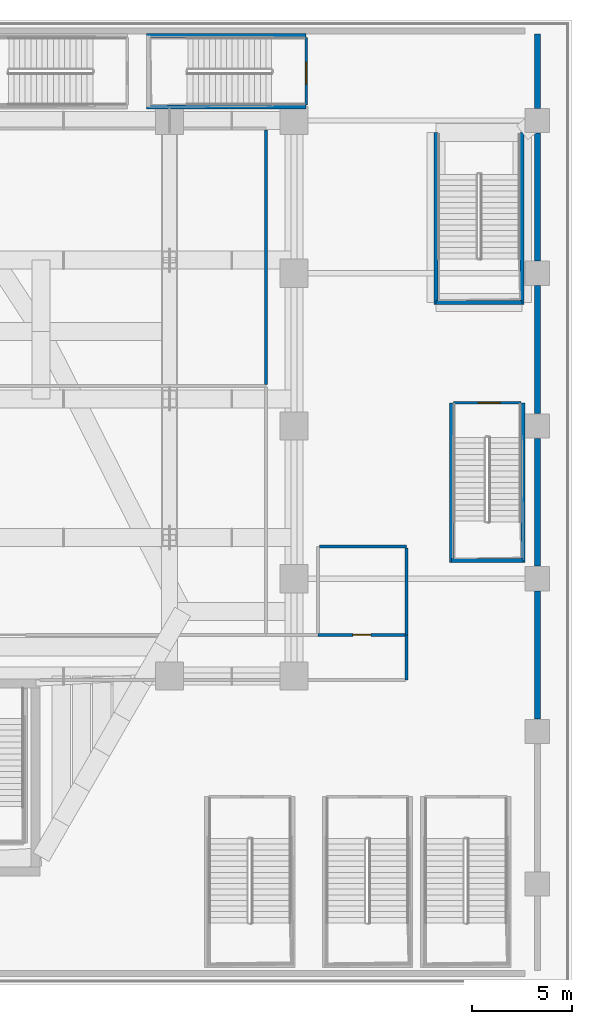
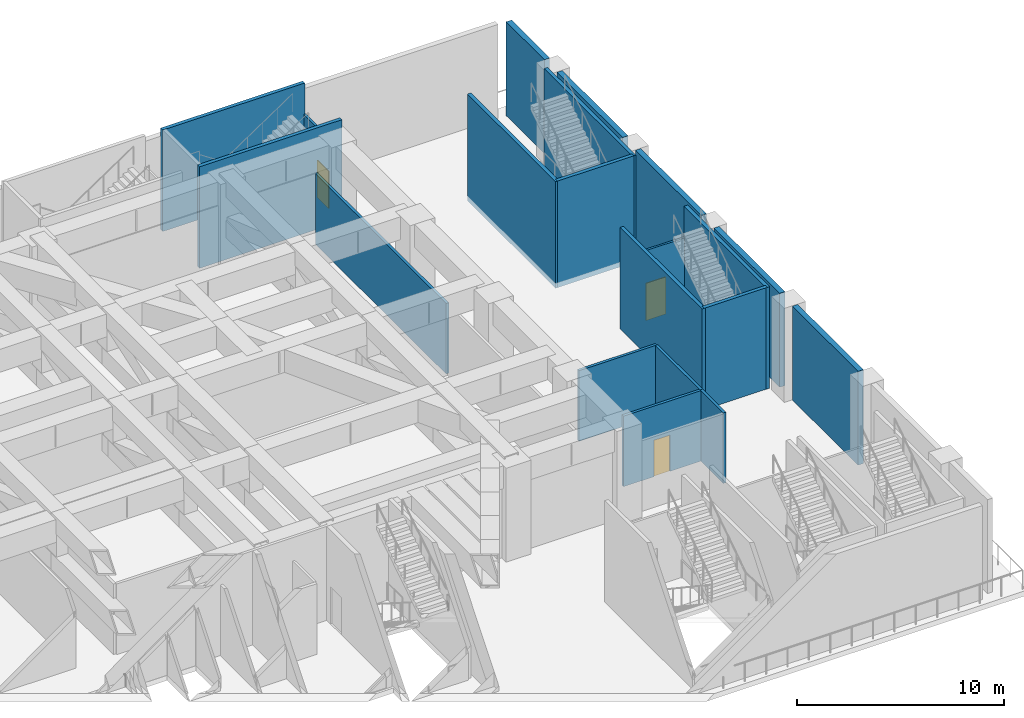
# One storey, part 12 of 27: 20 walls, 3 doors, 3 openings.
"""IFC4 building model written with IfcOpenShell, lengths in metres."""

from ifc_helpers import new_model, si_unit, direction, frame, frame_2d, origin, place, context, subcontext, project, spatial, rectangle, extrude, material, layer, layer_set, type_object, element, fill, save


model = new_model("IFC4")

# Units and contexts
model_context = context("Model", 3, precision=1e-05, world=origin(), true_north=direction((0.0, 1.0)))
body_context = subcontext(model_context, "Body", "Model", "MODEL_VIEW")
ifc_project = project(units=[si_unit("LENGTHUNIT", "METRE"), si_unit("AREAUNIT", "SQUARE_METRE"), si_unit("VOLUMEUNIT", "CUBIC_METRE"), si_unit("PLANEANGLEUNIT", "RADIAN"), si_unit("MASSUNIT", "GRAM", prefix="KILO")], contexts=[model_context])

# Site, building, storey
site_placement = place(None, origin())
site = spatial("IfcSite", under=ifc_project, at=site_placement, CompositionType="ELEMENT")
building_placement = place(site_placement, origin())
building = spatial("IfcBuilding", under=site, at=building_placement, Name="Ndaravel Arena Tower", CompositionType="ELEMENT")
storey_placement = place(building_placement, frame((0.0, 0.0, 24.0)))
storey = spatial("IfcBuildingStorey", under=building, at=storey_placement, Name="L04", CompositionType="ELEMENT", Elevation=24.0)

# Wall
ifc_material_1 = material(Name="Gypsum", Category="gypsum")
ifc_layer_1 = layer(ifc_material_1, 0.14990234375)
ifc_layer_set_1 = layer_set([ifc_layer_1], Name="Gypsum")
wall_type_1 = type_object("IfcWallType", Name="WALL-COMP-150", PredefinedType="PARTITIONING", material=ifc_layer_set_1)
wall_1_placement = place(storey_placement, frame((75.800048828125, 17.39990234375, 0.0), z_axis=(0.0, 0.0, 1.0), x_axis=(0.0, -1.0, 0.0)))
element("IfcWall", 1, at=wall_1_placement, inside=storey, type_object=wall_type_1, Name="L04 Interior Partition 001", PredefinedType="PARTITIONING", context=body_context, shape_type="SweptSolid", body=[
    extrude(rectangle(XDim=2.25, YDim=0.14990234375, at=frame_2d((1.125, 0.0))), origin(), (0.0, 0.0, 1.0), 4.169921875),
])

# Wall, opening, door
wall_2_placement = place(storey_placement, frame((71.39990234375, 17.39990234375, 0.0), z_axis=(0.0, 0.0, 1.0), x_axis=(1.0, 0.0, 0.0)))
wall_2 = element("IfcWall", 2, at=wall_2_placement, inside=storey, type_object=wall_type_1, Name="L04 Interior Partition 015", PredefinedType="PARTITIONING", context=body_context, shape_type="SweptSolid", body=[
    extrude(rectangle(XDim=4.335205078125, YDim=0.14990234375, at=frame_2d((2.16748046875, 0.0))), origin(), (0.0, 0.0, 1.0), 4.169921875),
])
opening_1_placement = place(wall_2_placement, frame((1.717529296875, 0.0, 0.0)))
opening_1 = element("IfcOpeningElement", 3, at=opening_1_placement, cuts=wall_2, Name="Opening WD-01", PredefinedType="OPENING", context=body_context, shape_type="SweptSolid", body=[
    extrude(rectangle(XDim=0.89990234375, YDim=2.14990234375, at=frame_2d((0.449951171875, 1.074951171875))), frame((0.0, 0.074951171875, 0.0), z_axis=(0.0, -1.0, 0.0), x_axis=(1.0, 0.0, 0.0)), (0.0, 0.0, 1.0), 0.14990234375),
])
ifc_material_2 = material(Name="Timber", Category="wood")
door_type_1 = type_object("IfcDoorType", Name="DT-05-WC-900", OperationType="SINGLE_SWING_LEFT", PredefinedType="DOOR", material=ifc_material_2)
door_1_placement = place(opening_1_placement, origin())
door_1 = element("IfcDoor", 4, at=door_1_placement, inside=storey, type_object=door_type_1, Name="L04 Plant Level Staff Accessible WC Door", OperationType="SINGLE_SWING_RIGHT", OverallHeight=2.14990234375, OverallWidth=0.89990234375, PredefinedType="DOOR", context=body_context, shape_type="SweptSolid", body=[
    extrude(rectangle(XDim=0.89990234375, YDim=2.14990234375, at=frame_2d((0.449951171875, 1.074951171875))), frame((0.0, 0.02490234375, 0.0), z_axis=(0.0, -1.0, 0.0), x_axis=(1.0, 0.0, 0.0)), (0.0, 0.0, 1.0), 0.050048828125),
])
fill(opening_1, door_1)

# Walls
wall_3_placement = place(storey_placement, frame((68.800048828125, 42.534912109375, 0.0), z_axis=(0.0, 0.0, 1.0), x_axis=(0.0, -1.0, 0.0)))
element("IfcWall", 5, at=wall_3_placement, inside=storey, type_object=wall_type_1, Name="L04 Interior Partition 026", PredefinedType="PARTITIONING", context=body_context, shape_type="SweptSolid", body=[
    extrude(rectangle(XDim=12.669921875, YDim=0.14990234375, at=frame_2d((6.3349609375, 0.0))), origin(), (0.0, 0.0, 1.0), 4.169921875),
])
wall_4_placement = place(storey_placement, frame((71.465087890625, 21.800048828125, 0.0), z_axis=(0.0, 0.0, 1.0), x_axis=(1.0, 0.0, 0.0)))
element("IfcWall", 6, at=wall_4_placement, inside=storey, type_object=wall_type_1, Name="L04 Interior Partition 028", PredefinedType="PARTITIONING", context=body_context, shape_type="SweptSolid", body=[
    extrude(rectangle(XDim=4.3349609375, YDim=0.14990234375, at=frame_2d((2.16748046875, 0.0))), origin(), (0.0, 0.0, 1.0), 4.169921875),
])
wall_5_placement = place(storey_placement, frame((75.800048828125, 21.735107421875, 0.0), z_axis=(0.0, 0.0, 1.0), x_axis=(0.0, -1.0, 0.0)))
element("IfcWall", 7, at=wall_5_placement, inside=storey, type_object=wall_type_1, Name="L04 Interior Partition 029", PredefinedType="PARTITIONING", context=body_context, shape_type="SweptSolid", body=[
    extrude(rectangle(XDim=4.335205078125, YDim=0.14990234375, at=frame_2d((2.16748046875, 0.0))), origin(), (0.0, 0.0, 1.0), 4.169921875),
])
ifc_material_3 = material(Name="Masonry", Category="masonry")
ifc_layer_2 = layer(ifc_material_3, 0.300048828125)
ifc_layer_set_2 = layer_set([ifc_layer_2], Name="Masonry")
wall_type_2 = type_object("IfcWallType", Name="WALL-POD-MAZERAS-300", PredefinedType="SOLIDWALL", material=ifc_layer_set_2)
wall_6_placement = place(storey_placement, frame((82.300048828125, 19.580078125, 0.0), z_axis=(0.0, 0.0, 1.0), x_axis=(0.0, -1.0, 0.0)))
element("IfcWall", 8, at=wall_6_placement, inside=storey, type_object=wall_type_2, Name="L04 East Mazeras Bay 3", PredefinedType="SOLIDWALL", context=body_context, shape_type="SweptSolid", body=[
    extrude(rectangle(XDim=6.360107421875, YDim=0.300048828125, at=frame_2d((3.18017578125, 0.0))), origin(), (0.0, 0.0, 1.0), 5.550048828125),
])
wall_7_placement = place(storey_placement, frame((82.300048828125, 27.179931640625, 0.0), z_axis=(0.0, 0.0, 1.0), x_axis=(0.0, -1.0, 0.0)))
element("IfcWall", 9, at=wall_7_placement, inside=storey, type_object=wall_type_2, Name="L04 East Mazeras Bay 4", PredefinedType="SOLIDWALL", context=body_context, shape_type="SweptSolid", body=[
    extrude(rectangle(XDim=6.35986328125, YDim=0.300048828125, at=frame_2d((3.179931640625, 0.0))), origin(), (0.0, 0.0, 1.0), 5.550048828125),
])
wall_8_placement = place(storey_placement, frame((82.300048828125, 34.780029296875, 0.0), z_axis=(0.0, 0.0, 1.0), x_axis=(0.0, -1.0, 0.0)))
element("IfcWall", 10, at=wall_8_placement, inside=storey, type_object=wall_type_2, Name="L04 East Mazeras Bay 5", PredefinedType="SOLIDWALL", context=body_context, shape_type="SweptSolid", body=[
    extrude(rectangle(XDim=6.360107421875, YDim=0.300048828125, at=frame_2d((3.18017578125, 0.0))), origin(), (0.0, 0.0, 1.0), 5.550048828125),
])
wall_9_placement = place(storey_placement, frame((82.300048828125, 42.3798828125, 0.0), z_axis=(0.0, 0.0, 1.0), x_axis=(0.0, -1.0, 0.0)))
element("IfcWall", 11, at=wall_9_placement, inside=storey, type_object=wall_type_2, Name="L04 East Mazeras Bay 6", PredefinedType="SOLIDWALL", context=body_context, shape_type="SweptSolid", body=[
    extrude(rectangle(XDim=6.35986328125, YDim=0.300048828125, at=frame_2d((3.179931640625, 0.0))), origin(), (0.0, 0.0, 1.0), 5.550048828125),
])
wall_10_placement = place(storey_placement, frame((82.300048828125, 47.300048828125, 0.0), z_axis=(0.0, 0.0, 1.0), x_axis=(0.0, -1.0, 0.0)))
element("IfcWall", 12, at=wall_10_placement, inside=storey, type_object=wall_type_2, Name="L04 East Mazeras Bay 7", PredefinedType="SOLIDWALL", context=body_context, shape_type="SweptSolid", body=[
    extrude(rectangle(XDim=3.699951171875, YDim=0.300048828125, at=frame_2d((1.85009765625, 0.0))), origin(), (0.0, 0.0, 1.0), 5.550048828125),
])

# Wall, opening, door
ifc_material_4 = material(Name="Concrete C40/50", Category="concrete")
ifc_layer_3 = layer(ifc_material_4, 0.1201171875)
ifc_layer_set_3 = layer_set([ifc_layer_3], Name="Concrete C40/50")
wall_type_3 = type_object("IfcWallType", Name="WALL-SHAFT-120", PredefinedType="SOLIDWALL", material=ifc_layer_set_3)
wall_11_placement = place(storey_placement, frame((70.800048828125, 47.135009765625, 0.0), z_axis=(0.0, 0.0, 1.0), x_axis=(0.0, -1.0, 0.0)))
wall_11 = element("IfcWall", 13, at=wall_11_placement, inside=storey, type_object=wall_type_3, Name="L04 ST-A11 Entry Wall", PredefinedType="SOLIDWALL", context=body_context, shape_type="SweptSolid", body=[
    extrude(rectangle(XDim=3.3701171875, YDim=0.1201171875, at=frame_2d((1.68505859375, 0.0))), origin(), (0.0, 0.0, 1.0), 4.169921875),
])
opening_2_placement = place(wall_11_placement, frame((1.239990234375, 0.0, 0.0)))
opening_2 = element("IfcOpeningElement", 14, at=opening_2_placement, cuts=wall_11, Name="Opening FD-01", PredefinedType="OPENING", context=body_context, shape_type="SweptSolid", body=[
    extrude(rectangle(XDim=1.10009765625, YDim=2.199951171875, at=frame_2d((0.550048828125, 1.10009765625))), frame((0.0, 0.06005859375, 0.0), z_axis=(0.0, -1.0, 0.0), x_axis=(1.0, 0.0, 0.0)), (0.0, 0.0, 1.0), 0.1201171875),
])
ifc_material_5 = material(Name="Steel S355", Category="steel")
door_type_2 = type_object("IfcDoorType", Name="DT-01-STAIR-1100", OperationType="SINGLE_SWING_LEFT", PredefinedType="DOOR", material=ifc_material_5)
door_2_placement = place(opening_2_placement, origin())
door_2 = element("IfcDoor", 15, at=door_2_placement, inside=storey, type_object=door_type_2, Name="L04 ST-A11 Fire Exit Stair Door", OperationType="SINGLE_SWING_LEFT", OverallHeight=2.199951171875, OverallWidth=1.10009765625, PredefinedType="DOOR", context=body_context, shape_type="SweptSolid", body=[
    extrude(rectangle(XDim=1.10009765625, YDim=2.199951171875, at=frame_2d((0.550048828125, 1.10009765625))), frame((0.0, 0.02490234375, 0.0), z_axis=(0.0, -1.0, 0.0), x_axis=(1.0, 0.0, 0.0)), (0.0, 0.0, 1.0), 0.050048828125),
])
fill(opening_2, door_2)

wall_12_placement = place(storey_placement, frame((78.125, 28.949951171875, 0.0), z_axis=(0.0, 0.0, 1.0), x_axis=(1.0, 0.0, 0.0)))
wall_12 = element("IfcWall", 16, at=wall_12_placement, inside=storey, type_object=wall_type_3, Name="L04 ST-A12 Entry Wall", PredefinedType="SOLIDWALL", context=body_context, shape_type="SweptSolid", body=[
    extrude(rectangle(XDim=3.3701171875, YDim=0.1201171875, at=frame_2d((1.68505859375, 0.0))), origin(), (0.0, 0.0, 1.0), 4.169921875),
])
opening_3_placement = place(wall_12_placement, frame((1.239990234375, 0.0, 0.0)))
opening_3 = element("IfcOpeningElement", 17, at=opening_3_placement, cuts=wall_12, Name="Opening FD-01", PredefinedType="OPENING", context=body_context, shape_type="SweptSolid", body=[
    extrude(rectangle(XDim=1.10009765625, YDim=2.199951171875, at=frame_2d((0.550048828125, 1.10009765625))), frame((0.0, 0.06005859375, 0.0), z_axis=(0.0, -1.0, 0.0), x_axis=(1.0, 0.0, 0.0)), (0.0, 0.0, 1.0), 0.1201171875),
])
door_3_placement = place(opening_3_placement, origin())
door_3 = element("IfcDoor", 18, at=door_3_placement, inside=storey, type_object=door_type_2, Name="L04 ST-A12 Fire Exit Stair Door", OperationType="SINGLE_SWING_LEFT", OverallHeight=2.199951171875, OverallWidth=1.10009765625, PredefinedType="DOOR", context=body_context, shape_type="SweptSolid", body=[
    extrude(rectangle(XDim=1.10009765625, YDim=2.199951171875, at=frame_2d((0.550048828125, 1.10009765625))), frame((0.0, 0.02490234375, 0.0), z_axis=(0.0, -1.0, 0.0), x_axis=(1.0, 0.0, 0.0)), (0.0, 0.0, 1.0), 0.050048828125),
])
fill(opening_3, door_3)

# Walls
ifc_material_6 = material(Name="Concrete C40/50", Category="concrete")
ifc_layer_4 = layer(ifc_material_6, 0.199951171875)
ifc_layer_set_4 = layer_set([ifc_layer_4], Name="Concrete C40/50")
wall_type_4 = type_object("IfcWallType", Name="WALL-SHAFT-200", PredefinedType="SOLIDWALL", material=ifc_layer_set_4)
for number, where, z_axis, x_axis, name in (
    (19, (70.800048828125, 47.239990234375, 0.0), (0.0, 0.0, 1.0), (-1.0, 0.0, 0.0), "L04 ST-A11 Shaft Wall Left"),
    (20, (70.800048828125, 43.659912109375, 0.0), (0.0, 0.0, 1.0), (-1.0, 0.0, 0.0), "L04 ST-A11 Shaft Wall Right"),
    (21, (78.02001953125, 28.949951171875, 0.0), (0.0, 0.0, 1.0), (0.0, -1.0, 0.0), "L04 ST-A12 Shaft Wall Left"),
    (22, (81.60009765625, 28.949951171875, 0.0), (0.0, 0.0, 1.0), (0.0, -1.0, 0.0), "L04 ST-A12 Shaft Wall Right"),
):
    element("IfcWall", number, at=place(storey_placement, frame(where, z_axis=z_axis, x_axis=x_axis)), inside=storey, type_object=wall_type_4, Name=name, PredefinedType="SOLIDWALL", context=body_context, shape_type="SweptSolid", body=[
        extrude(rectangle(XDim=7.949951171875, YDim=0.199951171875, at=frame_2d((3.97509765625, 0.0))), origin(), (0.0, 0.0, 1.0), 6.0),
    ])
wall_13_placement = place(storey_placement, frame((78.030029296875, 21.10009765625, 0.0), z_axis=(0.0, 0.0, 1.0), x_axis=(1.0, 0.0, 0.0)))
element("IfcWall", 23, at=wall_13_placement, inside=storey, type_object=wall_type_4, Name="L04 ST-A12 Shaft Wall Far", PredefinedType="SOLIDWALL", context=body_context, shape_type="SweptSolid", body=[
    extrude(rectangle(XDim=3.56005859375, YDim=0.199951171875, at=frame_2d((1.780029296875, 0.0))), origin(), (0.0, 0.0, 1.0), 6.0),
])
for number, where, z_axis, x_axis, name in (
    (24, (77.25, 42.39990234375, -0.300048828125), (0.0, 0.0, 1.0), (0.0, -1.0, 0.0), "L04 ST-GDN-2 Shaft Wall Left"),
    (25, (81.550048828125, 42.39990234375, -0.300048828125), (0.0, 0.0, 1.0), (0.0, -1.0, 0.0), "L04 ST-GDN-2 Shaft Wall Right"),
):
    element("IfcWall", number, at=place(storey_placement, frame(where, z_axis=z_axis, x_axis=x_axis)), inside=storey, type_object=wall_type_4, Name=name, PredefinedType="SOLIDWALL", context=body_context, shape_type="SweptSolid", body=[
        extrude(rectangle(XDim=8.5498046875, YDim=0.199951171875, at=frame_2d((4.27490234375, 0.0))), origin(), (0.0, 0.0, 1.0), 6.300048828125),
    ])
wall_14_placement = place(storey_placement, frame((77.260009765625, 33.949951171875, -0.300048828125), z_axis=(0.0, 0.0, 1.0), x_axis=(1.0, 0.0, 0.0)))
element("IfcWall", 26, at=wall_14_placement, inside=storey, type_object=wall_type_4, Name="L04 ST-GDN-2 Shaft Wall Far", PredefinedType="SOLIDWALL", context=body_context, shape_type="SweptSolid", body=[
    extrude(rectangle(XDim=4.280029296875, YDim=0.199951171875, at=frame_2d((2.14013671875, 0.0))), origin(), (0.0, 0.0, 1.0), 6.300048828125),
])

save(model, "model.ifc")
